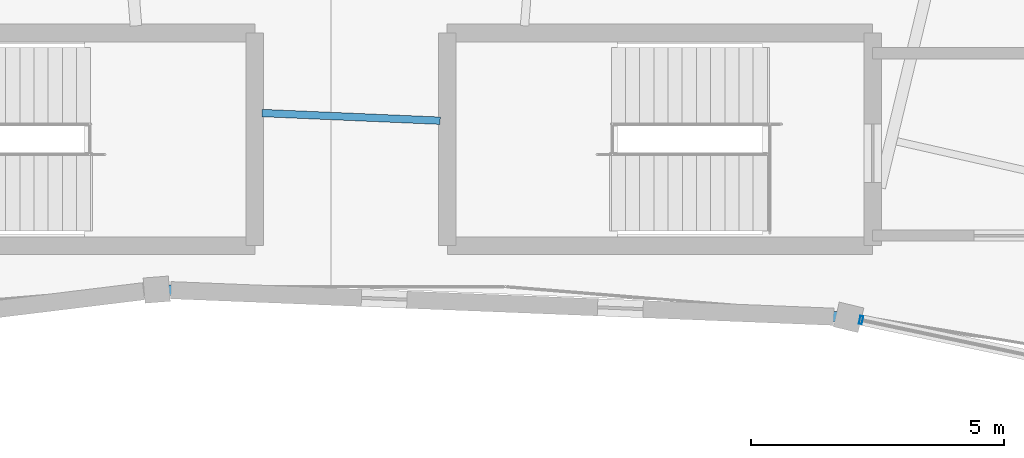
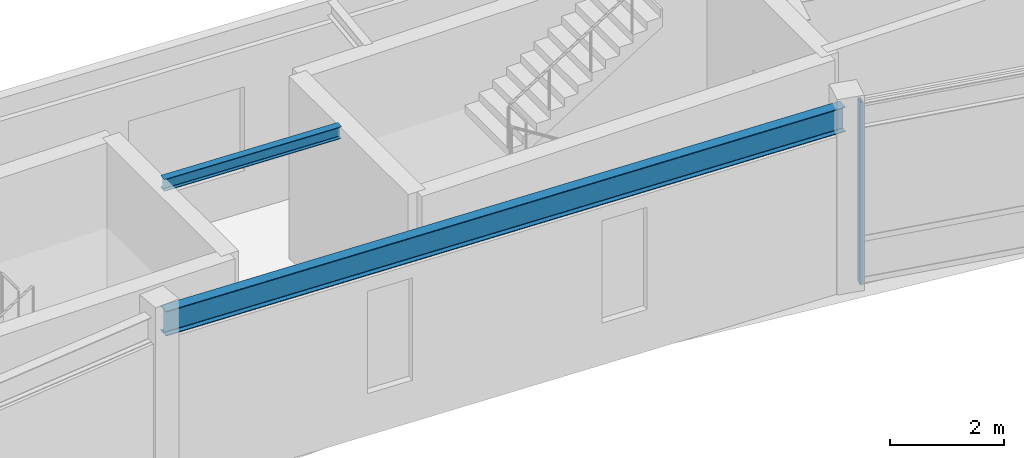
# One storey, part 38 of 79: 2 beams, 1 member, 1 element without a shape of its own.
"""IFC4 building model written with IfcOpenShell, lengths in metres."""

import ifcopenshell
import ifcopenshell.guid

model = None  # the IFC model being written
_history = None  # IfcOwnerHistory: only IFC2X3 demands one
_inside = {}  # id of a spatial element -> (the spatial element, [elements in it])
_under = {}  # id of a project, library or spatial element -> (it, [spatial elements below it])
_declared = {}  # id of a project -> (the project, [libraries it declares])
_typed = {}  # id of a type object -> (the type object, [elements of that type])
_made_of = {}  # id of a material, layer set ... -> (it, [elements and type objects made of it])


def new_model(schema):
    """Start an empty IFC model of exactly this schema.

    Asked for "IFC4X3", IfcOpenShell would pick the latest addendum, in which some entities
    have other attributes; the version numbers below select the first issue.
    IFC2X3 requires an IfcOwnerHistory on every rooted entity: one is made here for all.
    """
    global model, _history
    if schema == "IFC4X3":
        model = ifcopenshell.file(schema_version=(4, 3, 0, 0))
    else:
        model = ifcopenshell.file(schema=schema)
    _inside.clear()
    _under.clear()
    _declared.clear()
    _typed.clear()
    _made_of.clear()
    _history = None
    if model.schema == "IFC2X3":
        org = make("IfcOrganization", Name="unknown")
        user = make(
            "IfcPersonAndOrganization",
            ThePerson=make("IfcPerson", FamilyName="unknown"),
            TheOrganization=org,
        )
        app = make(
            "IfcApplication",
            ApplicationDeveloper=org,
            Version="unknown",
            ApplicationFullName="unknown",
            ApplicationIdentifier="unknown",
        )
        _history = make(
            "IfcOwnerHistory",
            OwningUser=user,
            OwningApplication=app,
            ChangeAction="ADDED",
            CreationDate=0,
        )
    return model


def make(cls, **values):
    """One entity of the class cls with the attributes given. An attribute that is None is left unset."""
    return model.create_entity(
        cls, **{name: value for name, value in values.items() if value is not None}
    )


def rooted(cls, **values):
    """An entity with a GlobalId (a new one), such as an element, a storey or a relation."""
    return make(cls, GlobalId=ifcopenshell.guid.new(), OwnerHistory=_history, **values)


def si_unit(unit_type, name, prefix=None):
    """IfcSIUnit, for example si_unit("LENGTHUNIT", "METRE", prefix="MILLI")."""
    return make("IfcSIUnit", UnitType=unit_type, Prefix=prefix, Name=name)


def assignment(units):
    """IfcUnitAssignment: the units of a project."""
    return None if units is None else make("IfcUnitAssignment", Units=units)


def point(xyz):
    """IfcCartesianPoint."""
    return None if xyz is None else make("IfcCartesianPoint", Coordinates=xyz)


def direction(xyz):
    """IfcDirection."""
    return None if xyz is None else make("IfcDirection", DirectionRatios=xyz)


def frame(location, z_axis=None, x_axis=None):
    """IfcAxis2Placement3D, a coordinate frame: its origin and axes. An axis left out is left unset."""
    return make(
        "IfcAxis2Placement3D",
        Location=point(location),
        Axis=direction(z_axis),
        RefDirection=direction(x_axis),
    )


def frame_2d(location, x_axis=None):
    """IfcAxis2Placement2D, a coordinate frame in the plane: its origin and x axis."""
    return make(
        "IfcAxis2Placement2D", Location=point(location), RefDirection=direction(x_axis)
    )


def origin():
    """The frame at (0, 0, 0) with its axes left unset."""
    return frame((0.0, 0.0, 0.0))


def origin_2d():
    """The frame at (0, 0) in the plane with its x axis left unset."""
    return frame_2d((0.0, 0.0))


def place(relative_to, where):
    """IfcLocalPlacement: puts the frame where relative to a parent placement (None: the world)."""
    return make(
        "IfcLocalPlacement", PlacementRelTo=relative_to, RelativePlacement=where
    )


def context(
    kind, dimensions, precision=None, world=None, true_north=None, identifier=None
):
    """IfcGeometricRepresentationContext, for example the 3D "Model" context."""
    return make(
        "IfcGeometricRepresentationContext",
        ContextIdentifier=identifier,
        ContextType=kind,
        CoordinateSpaceDimension=dimensions,
        Precision=precision,
        WorldCoordinateSystem=world,
        TrueNorth=true_north,
    )


def subcontext(parent, identifier, kind, view, scale=None):
    """IfcGeometricRepresentationSubContext, for example "Body" below "Model"."""
    return make(
        "IfcGeometricRepresentationSubContext",
        ContextIdentifier=identifier,
        ContextType=kind,
        ParentContext=parent,
        TargetScale=scale,
        TargetView=view,
    )


def project(units=None, contexts=None):
    """IfcProject with its units and contexts."""
    return rooted(
        "IfcProject",
        Name="project",
        RepresentationContexts=contexts,
        UnitsInContext=assignment(units),
    )


def spatial(cls, under=None, at=None, **own):
    """A site, building, storey or space (cls), placed at a placement, below another one or the project."""
    s = rooted(cls, ObjectPlacement=at, **own)
    if under is not None:
        _under.setdefault(under.id(), (under, []))[1].append(s)
    return s


def profile(cls, at=None, kind="AREA", **sizes):
    """A parametric profile (cls). Its sizes go by their IFC names, for example OverallWidth=200.0."""
    return make(cls, ProfileType=kind, Position=at, **sizes)


def hollow_rectangle(**sizes):
    """IfcRectangleHollowProfileDef."""
    return profile("IfcRectangleHollowProfileDef", **sizes)


def i_section(**sizes):
    """IfcIShapeProfileDef."""
    return profile("IfcIShapeProfileDef", **sizes)


def extrude(swept, where, along, depth):
    """IfcExtrudedAreaSolid: the profile swept, set in the frame where, extruded along a direction by depth."""
    return make(
        "IfcExtrudedAreaSolid",
        SweptArea=swept,
        Position=where,
        ExtrudedDirection=direction(along),
        Depth=depth,
    )


def shape(context_of_items, identifier, shape_type, items):
    """IfcShapeRepresentation: the items that make up one representation, for example the "Body"."""
    return make(
        "IfcShapeRepresentation",
        ContextOfItems=context_of_items,
        RepresentationIdentifier=identifier,
        RepresentationType=shape_type,
        Items=items,
    )


def material(Name=None, Category=None):
    """IfcMaterial."""
    return make("IfcMaterial", Name=Name, Category=Category)


def material_profile(
    of_material, cross_section, Name=None, Category=None, Priority=None
):
    """IfcMaterialProfile: a cross section and its material."""
    return make(
        "IfcMaterialProfile",
        Name=Name,
        Material=of_material,
        Profile=cross_section,
        Priority=Priority,
        Category=Category,
    )


def profile_set(profiles, Name=None, composite=None):
    """IfcMaterialProfileSet."""
    return make(
        "IfcMaterialProfileSet",
        Name=Name,
        MaterialProfiles=profiles,
        CompositeProfile=composite,
    )


def made_of(thing, what):
    """Note that an element or type object is made of a material, layer set ...; save() writes the relation."""
    if what is not None:
        _made_of.setdefault(what.id(), (what, []))[1].append(thing)
    return thing


def type_object(cls, material=None, **own):
    """A type object (cls), such as IfcWallType, which elements share."""
    return made_of(rooted(cls, **own), material)


def element(
    cls,
    number,
    at=None,
    inside=None,
    cuts=None,
    type_object=None,
    material=None,
    context=None,
    identifier="Body",
    shape_type=None,
    held_by="IfcProductDefinitionShape",
    body=None,
    shapes=None,
    **own,
):
    """One element of the class cls, such as IfcWall. Its Tag is "e" and its number.

    at: its placement. inside: the storey or other place that contains it. cuts: it is an
    opening in that element (IfcRelVoidsElement). A single representation is given by context,
    identifier, shape_type and body (its items); several are given by shapes. held_by: the class
    of the entity that holds the representations. save() writes the other relations.
    """
    e = rooted(cls, Tag="e%d" % number, ObjectPlacement=at, **own)
    if body is not None:
        shapes = [shape(context, identifier, shape_type, body)]
    if shapes is not None:
        e.Representation = make(held_by, Representations=shapes)
    if inside is not None:
        _inside.setdefault(inside.id(), (inside, []))[1].append(e)
    if cuts is not None:
        rooted(
            "IfcRelVoidsElement", RelatingBuildingElement=cuts, RelatedOpeningElement=e
        )
    if type_object is not None:
        _typed.setdefault(type_object.id(), (type_object, []))[1].append(e)
    return made_of(e, material)


def aggregate(whole, parts):
    """IfcRelAggregates: a whole, such as a stair, and the parts it consists of."""
    return rooted("IfcRelAggregates", RelatingObject=whole, RelatedObjects=parts)


def save(model, path):
    """Write the relations noted so far, then the file.

    IfcRelAggregates (storeys below a building ...), IfcRelContainedInSpatialStructure (elements
    in a storey), IfcRelDefinesByType, IfcRelAssociatesMaterial and IfcRelDeclares: one each for
    every whole, place, type object, material and project.
    """
    for whole, parts in _under.values():
        aggregate(whole, parts)
    for where, things in _inside.values():
        rooted(
            "IfcRelContainedInSpatialStructure",
            RelatedElements=things,
            RelatingStructure=where,
        )
    for kind, things in _typed.values():
        rooted("IfcRelDefinesByType", RelatedObjects=things, RelatingType=kind)
    for what, things in _made_of.values():
        rooted("IfcRelAssociatesMaterial", RelatedObjects=things, RelatingMaterial=what)
    for by, libraries in _declared.values():
        rooted("IfcRelDeclares", RelatingContext=by, RelatedDefinitions=libraries)
    model.write(path)


model = new_model("IFC4")

# Units and contexts
model_context = context("Model", 3, precision=1e-05, world=origin(), true_north=direction((0.0, 1.0)))
body_context = subcontext(model_context, "Body", "Model", "MODEL_VIEW")
ifc_project = project(units=[si_unit("LENGTHUNIT", "METRE"), si_unit("AREAUNIT", "SQUARE_METRE"), si_unit("VOLUMEUNIT", "CUBIC_METRE"), si_unit("PLANEANGLEUNIT", "RADIAN"), si_unit("MASSUNIT", "GRAM", prefix="KILO"), si_unit("THERMODYNAMICTEMPERATUREUNIT", "KELVIN"), si_unit("POWERUNIT", "WATT")], contexts=[model_context])

# Site, building, storey
site_placement = place(None, origin())
site = spatial("IfcSite", under=ifc_project, at=site_placement, CompositionType="ELEMENT")
building_placement = place(site_placement, origin())
building = spatial("IfcBuilding", under=site, at=building_placement, Name="Darbajah Civic Hall", CompositionType="ELEMENT")
storey_placement = place(building_placement, frame((0.0, 0.0, 22.199951171875)))
storey = spatial("IfcBuildingStorey", under=building, at=storey_placement, Name="L05", CompositionType="ELEMENT", Elevation=22.199951171875)

# Curtain wall, member
ifc_material_1 = material(Name="Anodised Bronze Aluminium and Low-E Glazing", Category="aluminium")
curtain_wall_type = type_object("IfcCurtainWallType", Name="Unitised Curtain Wall CW-65 12400x3900", PredefinedType="USERDEFINED", material=ifc_material_1)
curtain_wall_placement = place(storey_placement, origin())
curtain_wall = element("IfcCurtainWall", 1, at=curtain_wall_placement, inside=storey, type_object=curtain_wall_type, Name="L05 unitised curtain wall CW-V1I-L05-03", ObjectType="UNITISED CURTAIN WALL", PredefinedType="USERDEFINED")
ifc_material_2 = material(Name="Anodised Bronze Aluminium", Category="aluminium")
ifc_material_profile_1 = material_profile(ifc_material_2, hollow_rectangle(XDim=0.06005859375, YDim=0.159912109375, WallThickness=0.00341796875, at=origin_2d()), Name="ALU MULLION 60x160")
ifc_profile_set_1 = profile_set([ifc_material_profile_1], Name="Anodised Bronze Aluminium")
member_type = type_object("IfcMemberType", Name="ALU MULLION 60x160", PredefinedType="MULLION", material=ifc_profile_set_1)
member_placement = place(storey_placement, frame((99.571533203125, 111.431884765625, 0.0), z_axis=(0.0, 0.0, 1.0), x_axis=(-0.978472980779, 0.206374964291, 0.0)))
member = element("IfcMember", 2, at=member_placement, type_object=member_type, Name="CW-V1I-L05-03 mullion 4", PredefinedType="MULLION", context=body_context, shape_type="SweptSolid", body=[
    extrude(hollow_rectangle(XDim=0.06005859375, YDim=0.159912109375, WallThickness=0.00341796875, at=origin_2d()), origin(), (0.0, 0.0, 1.0), 3.920166015625),
])
aggregate(curtain_wall, [member])

# Beams
ifc_material_3 = material(Name="Steel S355JR", Category="steel")
ifc_material_profile_2 = material_profile(ifc_material_3, i_section(OverallWidth=0.146484375, OverallDepth=0.256103515625, WebThickness=0.00634765625, FlangeThickness=0.010986328125, FilletRadius=0.007568359375, at=origin_2d()), Name="UB 254x146x37")
ifc_profile_set_2 = profile_set([ifc_material_profile_2], Name="Steel S355JR")
beam_type_1 = type_object("IfcBeamType", Name="UB 254x146x37", PredefinedType="JOIST", material=ifc_profile_set_2)
beam_1_placement = place(storey_placement, frame((91.260009765625, 115.3671875, 3.7919921875), z_axis=(-0.999073726109, 0.043031265357, 0.0), x_axis=(-0.043031265357, -0.999073726109, 0.0)))
element("IfcBeam", 3, at=beam_1_placement, inside=storey, type_object=beam_type_1, Name="L05 beam SJ-254", PredefinedType="JOIST", context=body_context, shape_type="SweptSolid", body=[
    extrude(i_section(OverallWidth=0.146484375, OverallDepth=0.256103515625, WebThickness=0.00634765625, FlangeThickness=0.010986328125, FilletRadius=0.007568359375, at=origin_2d()), origin(), (0.0, 0.0, 1.0), 3.523193359375),
])
ifc_material_profile_3 = material_profile(ifc_material_3, i_section(OverallWidth=0.209228515625, OverallDepth=0.533203125, WebThickness=0.010009765625, FlangeThickness=0.015625, FilletRadius=0.0126953125, at=origin_2d()), Name="UB 533x210x92")
ifc_profile_set_3 = profile_set([ifc_material_profile_3], Name="Steel S355JR")
beam_type_2 = type_object("IfcBeamType", Name="UB 533x210x92", PredefinedType="BEAM", material=ifc_profile_set_3)
beam_2_placement = place(storey_placement, frame((99.2451171875, 111.487060546875, 3.653564453125), z_axis=(-0.999198156642, 0.040038028952, 0.0), x_axis=(-0.040038028952, -0.999198156642, 0.0)))
element("IfcBeam", 4, at=beam_2_placement, inside=storey, type_object=beam_type_2, Name="L05 beam SB-533", PredefinedType="BEAM", context=body_context, shape_type="SweptSolid", body=[
    extrude(i_section(OverallWidth=0.209228515625, OverallDepth=0.533203125, WebThickness=0.010009765625, FlangeThickness=0.015625, FilletRadius=0.0126953125, at=origin_2d()), origin(), (0.0, 0.0, 1.0), 13.512451171875),
])

save(model, "model.ifc")
